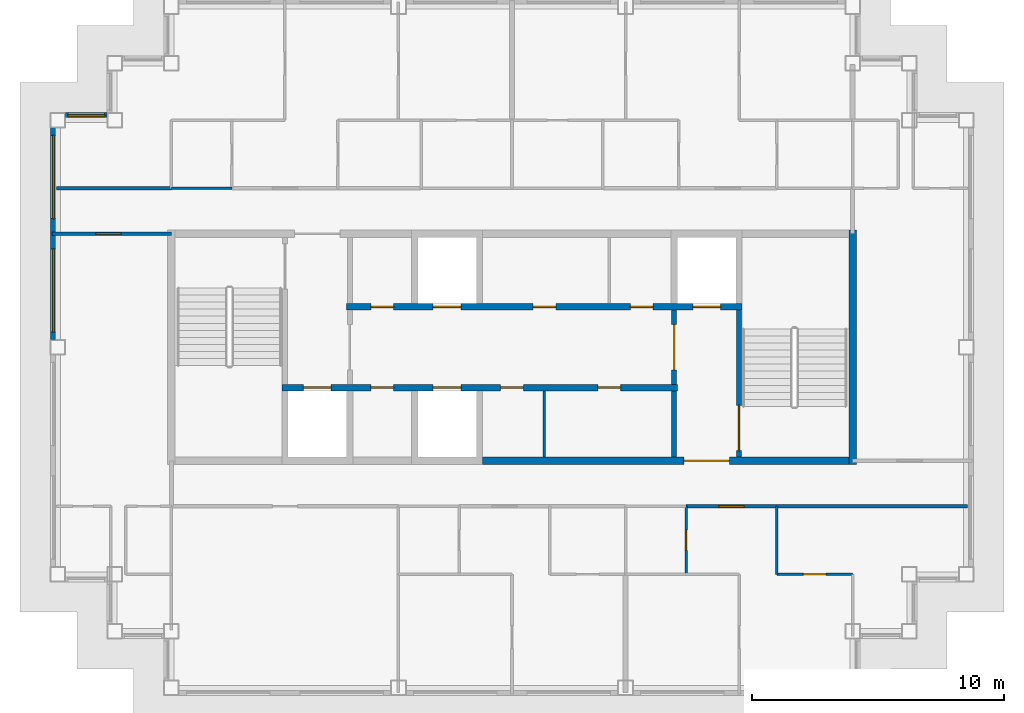
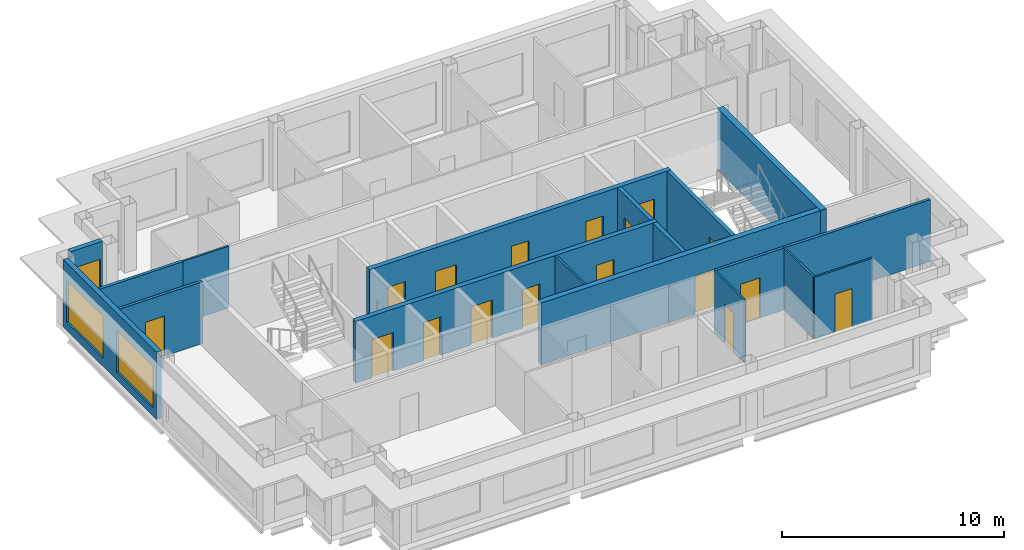
# One storey, part 3 of 11: 17 doors, 17 walls, 3 windows, 20 openings.
"""IFC4 building model written with IfcOpenShell, lengths in metres."""

from ifc_helpers import new_model, si_unit, direction, frame, frame_2d, origin, place, context, subcontext, project, spatial, rectangle, extrude, material, layer, layer_set, type_object, element, fill, save


model = new_model("IFC4")

# Units and contexts
model_context = context("Model", 3, precision=1e-05, world=origin(), true_north=direction((0.0, 1.0)))
body_context = subcontext(model_context, "Body", "Model", "MODEL_VIEW")
ifc_project = project(units=[si_unit("LENGTHUNIT", "METRE"), si_unit("AREAUNIT", "SQUARE_METRE"), si_unit("VOLUMEUNIT", "CUBIC_METRE"), si_unit("PLANEANGLEUNIT", "RADIAN"), si_unit("MASSUNIT", "GRAM", prefix="KILO")], contexts=[model_context])

# Site, building, storey
site_placement = place(None, origin())
site = spatial("IfcSite", under=ifc_project, at=site_placement, CompositionType="ELEMENT")
building_placement = place(site_placement, origin())
building = spatial("IfcBuilding", under=site, at=building_placement, Name="Caravel Reach Hotel and Residences", CompositionType="ELEMENT")
storey_placement = place(building_placement, frame((0.0, 0.0, 287.10009765625)))
storey = spatial("IfcBuildingStorey", under=building, at=storey_placement, Name="L73", CompositionType="ELEMENT", Elevation=287.10009765625)

# Wall
ifc_material_1 = material(Name="Gypsum board on steel stud", Category="steel")
ifc_layer_1 = layer(ifc_material_1, 0.10009765625)
ifc_layer_set_1 = layer_set([ifc_layer_1], Name="Bathroom pod wall 100 mm")
wall_type_1 = type_object("IfcWallType", Name="Bathroom pod wall 100 mm", PredefinedType="PARTITIONING", material=ifc_layer_set_1)
wall_1_placement = place(storey_placement, frame((18.0, 33.300048828125, 0.0), z_axis=(0.0, 0.0, 1.0), x_axis=(1.0, 0.0, 0.0)))
element("IfcWall", 1, at=wall_1_placement, inside=storey, type_object=wall_type_1, Name="L73 wall w053", PredefinedType="PARTITIONING", context=body_context, shape_type="SweptSolid", body=[
    extrude(rectangle(XDim=2.39990234375, YDim=0.10009765625, at=frame_2d((1.199951171875, 0.0))), origin(), (0.0, 0.0, 1.0), 3.39990234375),
])

# Wall, opening, door
wall_2_placement = place(storey_placement, frame((38.39990234375, 18.0, 0.0), z_axis=(0.0, 0.0, 1.0), x_axis=(0.0, 1.0, 0.0)))
wall_2 = element("IfcWall", 2, at=wall_2_placement, inside=storey, type_object=wall_type_1, Name="L73 wall w071", PredefinedType="PARTITIONING", context=body_context, shape_type="SweptSolid", body=[
    extrude(rectangle(XDim=2.699951171875, YDim=0.10009765625, at=frame_2d((1.35009765625, 0.0))), origin(), (0.0, 0.0, 1.0), 3.39990234375),
])
opening_1_placement = place(wall_2_placement, frame((0.949951171875, 0.0, 0.0)))
opening_1 = element("IfcOpeningElement", 3, at=opening_1_placement, cuts=wall_2, Name="Opening D73-035", PredefinedType="OPENING", context=body_context, shape_type="SweptSolid", body=[
    extrude(rectangle(XDim=0.800048828125, YDim=2.10009765625, at=frame_2d((0.39990234375, 1.050048828125))), frame((0.0, 0.06005859375, 0.0), z_axis=(0.0, -1.0, 0.0), x_axis=(1.0, 0.0, 0.0)), (0.0, 0.0, 1.0), 0.1201171875),
])
ifc_material_2 = material(Name="Timber and steel door leaf", Category="steel")
door_type_1 = type_object("IfcDoorType", Name="Bathroom door 800 x 2100", OperationType="SINGLE_SWING_LEFT", PredefinedType="DOOR", material=ifc_material_2)
door_1_placement = place(opening_1_placement, origin())
door_1 = element("IfcDoor", 4, at=door_1_placement, inside=storey, type_object=door_type_1, Name="door D73-035", OperationType="SINGLE_SWING_RIGHT", OverallHeight=2.10009765625, OverallWidth=0.800048828125, PredefinedType="DOOR", context=body_context, shape_type="SweptSolid", body=[
    extrude(rectangle(XDim=0.800048828125, YDim=2.10009765625, at=frame_2d((0.39990234375, 1.050048828125))), frame((0.0, 0.02490234375, 0.0), z_axis=(0.0, -1.0, 0.0), x_axis=(1.0, 0.0, 0.0)), (0.0, 0.0, 1.0), 0.050048828125),
])
fill(opening_1, door_1)

# Wall
ifc_material_3 = material(Name="Autoclaved aerated block wall")
ifc_layer_2 = layer(ifc_material_3, 0.199951171875)
ifc_layer_set_2 = layer_set([ifc_layer_2], Name="Compartment wall 200 mm EI 120")
wall_type_2 = type_object("IfcWallType", Name="Compartment wall 200 mm EI 120", PredefinedType="PARTITIONING", material=ifc_layer_set_2)
wall_3_placement = place(storey_placement, frame((37.928466796875, 22.64990234375, 0.0), z_axis=(0.0, 0.0, 1.0), x_axis=(0.0, 1.0, 0.0)))
element("IfcWall", 5, at=wall_3_placement, inside=storey, type_object=wall_type_2, Name="L73 store partition", PredefinedType="PARTITIONING", context=body_context, shape_type="SweptSolid", body=[
    extrude(rectangle(XDim=2.625, YDim=0.199951171875, at=frame_2d((1.3125, 0.0))), origin(), (0.0, 0.0, 1.0), 3.39990234375),
])

# Wall, opening, door
ifc_material_4 = material(Name="Concrete C60", Category="concrete")
ifc_layer_3 = layer(ifc_material_4, 0.300048828125)
ifc_layer_set_3 = layer_set([ifc_layer_3], Name="Core wall 300 mm EI 120")
wall_type_3 = type_object("IfcWallType", Name="Core wall 300 mm EI 120", PredefinedType="SHEAR", material=ifc_layer_set_3)
wall_4_placement = place(storey_placement, frame((30.33935546875, 22.5, 0.0), z_axis=(0.0, 0.0, 1.0), x_axis=(1.0, 0.0, 0.0)))
wall_4 = element("IfcWall", 6, at=wall_4_placement, inside=storey, type_object=wall_type_3, Name="L73 core wall S3", PredefinedType="SHEAR", context=body_context, shape_type="SweptSolid", body=[
    extrude(rectangle(XDim=14.5107421875, YDim=0.300048828125, at=frame_2d((7.25537109375, 0.0))), origin(), (0.0, 0.0, 1.0), 3.39990234375),
])
opening_2_placement = place(wall_4_placement, frame((7.97509765625, 0.0, 0.0)))
opening_2 = element("IfcOpeningElement", 7, at=opening_2_placement, cuts=wall_4, Name="Opening D73-016", PredefinedType="OPENING", context=body_context, shape_type="SweptSolid", body=[
    extrude(rectangle(XDim=1.800048828125, YDim=2.10009765625, at=frame_2d((0.89990234375, 1.050048828125))), frame((0.0, 0.159912109375, 0.0), z_axis=(0.0, -1.0, 0.0), x_axis=(1.0, 0.0, 0.0)), (0.0, 0.0, 1.0), 0.320068359375),
])
ifc_material_5 = material(Name="Steel fire door leaf", Category="steel")
door_type_2 = type_object("IfcDoorType", Name="Fire lobby door pair 1800 x 2100 EI 90", OperationType="DOUBLE_DOOR_SINGLE_SWING", PredefinedType="DOOR", material=ifc_material_5)
door_2_placement = place(opening_2_placement, origin())
door_2 = element("IfcDoor", 8, at=door_2_placement, inside=storey, type_object=door_type_2, Name="lobby S door pair to corridor", OperationType="DOUBLE_DOOR_SINGLE_SWING", OverallHeight=2.10009765625, OverallWidth=1.800048828125, PredefinedType="DOOR", context=body_context, shape_type="SweptSolid", body=[
    extrude(rectangle(XDim=1.800048828125, YDim=2.10009765625, at=frame_2d((0.89990234375, 1.050048828125))), frame((0.0, 0.02490234375, 0.0), z_axis=(0.0, -1.0, 0.0), x_axis=(1.0, 0.0, 0.0)), (0.0, 0.0, 1.0), 0.050048828125),
])
fill(opening_2, door_2)

# Wall
wall_5_placement = place(storey_placement, frame((45.0, 22.35009765625, 0.0), z_axis=(0.0, 0.0, 1.0), x_axis=(0.0, 1.0, 0.0)))
element("IfcWall", 9, at=wall_5_placement, inside=storey, type_object=wall_type_3, Name="L73 core wall E", PredefinedType="SHEAR", context=body_context, shape_type="SweptSolid", body=[
    extrude(rectangle(XDim=9.2998046875, YDim=0.300048828125, at=frame_2d((4.64990234375, 0.0))), origin(), (0.0, 0.0, 1.0), 3.39990234375),
])

# Wall, opening, door
ifc_material_6 = material(Name="Gypsum board on steel stud, fire-rated", Category="steel")
ifc_layer_4 = layer(ifc_material_6, 0.14990234375)
ifc_layer_set_4 = layer_set([ifc_layer_4], Name="Corridor wall 150 mm EI 60")
wall_type_4 = type_object("IfcWallType", Name="Corridor wall 150 mm EI 60", PredefinedType="PARTITIONING", material=ifc_layer_set_4)
wall_6_placement = place(storey_placement, frame((38.39990234375, 20.699951171875, 0.0), z_axis=(0.0, 0.0, 1.0), x_axis=(1.0, 0.0, 0.0)))
wall_6 = element("IfcWall", 10, at=wall_6_placement, inside=storey, type_object=wall_type_4, Name="L73 wall w004", PredefinedType="PARTITIONING", context=body_context, shape_type="SweptSolid", body=[
    extrude(rectangle(XDim=11.150146484375, YDim=0.14990234375, at=frame_2d((5.5751953125, 0.0))), origin(), (0.0, 0.0, 1.0), 3.39990234375),
])
opening_3_placement = place(wall_6_placement, frame((1.300048828125, 0.0, 0.0)))
opening_3 = element("IfcOpeningElement", 11, at=opening_3_placement, cuts=wall_6, Name="Opening D73-034", PredefinedType="OPENING", context=body_context, shape_type="SweptSolid", body=[
    extrude(rectangle(XDim=1.0, YDim=2.199951171875, at=frame_2d((0.5, 1.10009765625))), frame((0.0, 0.0849609375, 0.0), z_axis=(0.0, -1.0, 0.0), x_axis=(1.0, 0.0, 0.0)), (0.0, 0.0, 1.0), 0.169921875),
])
ifc_material_7 = material(Name="Steel fire door leaf", Category="steel")
door_type_3 = type_object("IfcDoorType", Name="Flat entrance door 1000 x 2200 EI 60", OperationType="SINGLE_SWING_LEFT", PredefinedType="DOOR", material=ifc_material_7)
door_3_placement = place(opening_3_placement, origin())
door_3 = element("IfcDoor", 12, at=door_3_placement, inside=storey, type_object=door_type_3, Name="door D73-034", OperationType="SINGLE_SWING_LEFT", OverallHeight=2.199951171875, OverallWidth=1.0, PredefinedType="DOOR", context=body_context, shape_type="SweptSolid", body=[
    extrude(rectangle(XDim=1.0, YDim=2.199951171875, at=frame_2d((0.5, 1.10009765625))), frame((0.0, 0.02490234375, 0.0), z_axis=(0.0, -1.0, 0.0), x_axis=(1.0, 0.0, 0.0)), (0.0, 0.0, 1.0), 0.050048828125),
])
fill(opening_3, door_3)

wall_7_placement = place(storey_placement, frame((13.260009765625, 31.5, 0.0), z_axis=(0.0, 0.0, 1.0), x_axis=(1.0, 0.0, 0.0)))
wall_7 = element("IfcWall", 13, at=wall_7_placement, inside=storey, type_object=wall_type_4, Name="L73 wall w008", PredefinedType="PARTITIONING", context=body_context, shape_type="SweptSolid", body=[
    extrude(rectangle(XDim=4.739990234375, YDim=0.14990234375, at=frame_2d((2.3701171875, 0.0))), origin(), (0.0, 0.0, 1.0), 3.39990234375),
])
opening_4_placement = place(wall_7_placement, frame((1.75, 0.0, 0.0)))
opening_4 = element("IfcOpeningElement", 14, at=opening_4_placement, cuts=wall_7, Name="Opening D73-038", PredefinedType="OPENING", context=body_context, shape_type="SweptSolid", body=[
    extrude(rectangle(XDim=1.0, YDim=2.199951171875, at=frame_2d((0.5, 1.10009765625))), frame((0.0, 0.0849609375, 0.0), z_axis=(0.0, -1.0, 0.0), x_axis=(1.0, 0.0, 0.0)), (0.0, 0.0, 1.0), 0.169921875),
])
door_4_placement = place(opening_4_placement, origin())
door_4 = element("IfcDoor", 15, at=door_4_placement, inside=storey, type_object=door_type_3, Name="door D73-038", OperationType="SINGLE_SWING_RIGHT", OverallHeight=2.199951171875, OverallWidth=1.0, PredefinedType="DOOR", context=body_context, shape_type="SweptSolid", body=[
    extrude(rectangle(XDim=1.0, YDim=2.199951171875, at=frame_2d((0.5, 1.10009765625))), frame((0.0, 0.02490234375, 0.0), z_axis=(0.0, -1.0, 0.0), x_axis=(1.0, 0.0, 0.0)), (0.0, 0.0, 1.0), 0.050048828125),
])
fill(opening_4, door_4)

# Wall
wall_8_placement = place(storey_placement, frame((13.449951171875, 33.300048828125, 0.0), z_axis=(0.0, 0.0, 1.0), x_axis=(1.0, 0.0, 0.0)))
element("IfcWall", 16, at=wall_8_placement, inside=storey, type_object=wall_type_4, Name="L73 wall w009", PredefinedType="PARTITIONING", context=body_context, shape_type="SweptSolid", body=[
    extrude(rectangle(XDim=4.549072265625, YDim=0.14990234375, at=frame_2d((2.2744140625, 0.0))), origin(), (0.0, 0.0, 1.0), 3.39990234375),
])

# Wall, opening, window
ifc_material_8 = material(Name="Insulated rainscreen wall, aluminium cladding", Category="aluminium")
ifc_layer_5 = layer(ifc_material_8, 0.25)
ifc_layer_set_5 = layer_set([ifc_layer_5], Name="EW1 Tower rainscreen wall")
wall_type_5 = type_object("IfcWallType", Name="EW1 Tower rainscreen wall", PredefinedType="SOLIDWALL", material=ifc_layer_set_5)
wall_9_placement = place(storey_placement, frame((15.449951171875, 36.175048828125, 0.0), z_axis=(0.0, 0.0, 1.0), x_axis=(-1.0, 0.0, 0.0)))
wall_9 = element("IfcWall", 17, at=wall_9_placement, inside=storey, type_object=wall_type_5, Name="External wall L73 N14.1", PredefinedType="SOLIDWALL", context=body_context, shape_type="SweptSolid", body=[
    extrude(rectangle(XDim=1.64990234375, YDim=0.25, at=frame_2d((0.824951171875, 0.0))), origin(), (0.0, 0.0, 1.0), 3.699951171875),
])
opening_5_placement = place(wall_9_placement, frame((0.10009765625, 0.0, 0.89990234375)))
opening_5 = element("IfcOpeningElement", 18, at=opening_5_placement, cuts=wall_9, Name="Opening WN25", PredefinedType="OPENING", context=body_context, shape_type="SweptSolid", body=[
    extrude(rectangle(XDim=1.449951171875, YDim=1.85009765625, at=frame_2d((0.72509765625, 0.925048828125))), frame((0.0, 0.135009765625, 0.0), z_axis=(0.0, -1.0, 0.0), x_axis=(1.0, 0.0, 0.0)), (0.0, 0.0, 1.0), 0.27001953125),
])
ifc_material_9 = material(Name="Dark low-e glazing in black aluminium frame", Category="aluminium")
window_type_1 = type_object("IfcWindowType", Name="Residence bedroom window 1450 x 1850", PartitioningType="SINGLE_PANEL", PredefinedType="WINDOW", material=ifc_material_9)
window_1_placement = place(opening_5_placement, origin())
window_1 = element("IfcWindow", 19, at=window_1_placement, inside=storey, type_object=window_type_1, Name="Window L73 N14.1.1", OverallHeight=1.85009765625, OverallWidth=1.449951171875, PartitioningType="SINGLE_PANEL", PredefinedType="WINDOW", context=body_context, shape_type="SweptSolid", body=[
    extrude(rectangle(XDim=1.449951171875, YDim=1.85009765625, at=frame_2d((0.72509765625, 0.925048828125))), frame((0.0, 0.030029296875, 0.0), z_axis=(0.0, -1.0, 0.0), x_axis=(1.0, 0.0, 0.0)), (0.0, 0.0, 1.0), 0.06005859375),
])
fill(opening_5, window_1)

# Wall, openings, windows
wall_10_placement = place(storey_placement, frame((13.324951171875, 35.699951171875, 0.0), z_axis=(0.0, 0.0, 1.0), x_axis=(0.0, -1.0, 0.0)))
wall_10 = element("IfcWall", 20, at=wall_10_placement, inside=storey, type_object=wall_type_5, Name="External wall L73 W15.1", PredefinedType="SOLIDWALL", context=body_context, shape_type="SweptSolid", body=[
    extrude(rectangle(XDim=8.39990234375, YDim=0.25, at=frame_2d((4.199951171875, 0.0))), origin(), (0.0, 0.0, 1.0), 3.699951171875),
])
opening_6_placement = place(wall_10_placement, frame((0.300048828125, 0.0, 0.449951171875)))
opening_6 = element("IfcOpeningElement", 21, at=opening_6_placement, cuts=wall_10, Name="Opening WN15", PredefinedType="OPENING", context=body_context, shape_type="SweptSolid", body=[
    extrude(rectangle(XDim=3.300048828125, YDim=2.300048828125, at=frame_2d((1.64990234375, 1.14990234375))), frame((0.0, 0.135009765625, 0.0), z_axis=(0.0, -1.0, 0.0), x_axis=(1.0, 0.0, 0.0)), (0.0, 0.0, 1.0), 0.27001953125),
])
opening_7_placement = place(wall_10_placement, frame((4.800048828125, 0.0, 0.449951171875)))
opening_7 = element("IfcOpeningElement", 22, at=opening_7_placement, cuts=wall_10, Name="Opening WN15", PredefinedType="OPENING", context=body_context, shape_type="SweptSolid", body=[
    extrude(rectangle(XDim=3.300048828125, YDim=2.300048828125, at=frame_2d((1.64990234375, 1.14990234375))), frame((0.0, 0.135009765625, 0.0), z_axis=(0.0, -1.0, 0.0), x_axis=(1.0, 0.0, 0.0)), (0.0, 0.0, 1.0), 0.27001953125),
])
ifc_material_10 = material(Name="Dark low-e glazing in black aluminium frame", Category="aluminium")
window_type_2 = type_object("IfcWindowType", Name="Residence living window 3300 x 2300", PartitioningType="SINGLE_PANEL", PredefinedType="WINDOW", material=ifc_material_10)
window_2_placement = place(opening_6_placement, origin())
window_2 = element("IfcWindow", 23, at=window_2_placement, inside=storey, type_object=window_type_2, Name="Window L73 W15.1.1", OverallHeight=2.300048828125, OverallWidth=3.300048828125, PartitioningType="SINGLE_PANEL", PredefinedType="WINDOW", context=body_context, shape_type="SweptSolid", body=[
    extrude(rectangle(XDim=3.300048828125, YDim=2.300048828125, at=frame_2d((1.64990234375, 1.14990234375))), frame((0.0, 0.030029296875, 0.0), z_axis=(0.0, -1.0, 0.0), x_axis=(1.0, 0.0, 0.0)), (0.0, 0.0, 1.0), 0.06005859375),
])
fill(opening_6, window_2)
window_3_placement = place(opening_7_placement, origin())
window_3 = element("IfcWindow", 24, at=window_3_placement, inside=storey, type_object=window_type_2, Name="Window L73 W15.1.2", OverallHeight=2.300048828125, OverallWidth=3.300048828125, PartitioningType="SINGLE_PANEL", PredefinedType="WINDOW", context=body_context, shape_type="SweptSolid", body=[
    extrude(rectangle(XDim=3.300048828125, YDim=2.300048828125, at=frame_2d((1.64990234375, 1.14990234375))), frame((0.0, 0.030029296875, 0.0), z_axis=(0.0, -1.0, 0.0), x_axis=(1.0, 0.0, 0.0)), (0.0, 0.0, 1.0), 0.06005859375),
])
fill(opening_7, window_3)

# Wall, opening, door
ifc_material_11 = material(Name="Autoclaved aerated block wall")
ifc_layer_6 = layer(ifc_material_11, 0.199951171875)
ifc_layer_set_6 = layer_set([ifc_layer_6], Name="Fire lobby wall 200 mm EI 120")
wall_type_6 = type_object("IfcWallType", Name="Fire lobby wall 200 mm EI 120", PredefinedType="PARTITIONING", material=ifc_layer_set_6)
wall_11_placement = place(storey_placement, frame((37.928466796875, 25.52490234375, 0.0), z_axis=(0.0, 0.0, 1.0), x_axis=(0.0, 1.0, 0.0)))
wall_11 = element("IfcWall", 25, at=wall_11_placement, inside=storey, type_object=wall_type_6, Name="L73 lobby E wall", PredefinedType="PARTITIONING", context=body_context, shape_type="SweptSolid", body=[
    extrude(rectangle(XDim=2.9501953125, YDim=0.199951171875, at=frame_2d((1.47509765625, 0.0))), origin(), (0.0, 0.0, 1.0), 3.39990234375),
])
opening_8_placement = place(wall_11_placement, frame((0.574951171875, 0.0, 0.0)))
opening_8 = element("IfcOpeningElement", 26, at=opening_8_placement, cuts=wall_11, Name="Opening D73-014", PredefinedType="OPENING", context=body_context, shape_type="SweptSolid", body=[
    extrude(rectangle(XDim=1.800048828125, YDim=2.10009765625, at=frame_2d((0.89990234375, 1.050048828125))), frame((0.0, 0.10986328125, 0.0), z_axis=(0.0, -1.0, 0.0), x_axis=(1.0, 0.0, 0.0)), (0.0, 0.0, 1.0), 0.219970703125),
])
door_5_placement = place(opening_8_placement, origin())
door_5 = element("IfcDoor", 27, at=door_5_placement, inside=storey, type_object=door_type_2, Name="lobby E door pair", OperationType="DOUBLE_DOOR_SINGLE_SWING", OverallHeight=2.10009765625, OverallWidth=1.800048828125, PredefinedType="DOOR", context=body_context, shape_type="SweptSolid", body=[
    extrude(rectangle(XDim=1.800048828125, YDim=2.10009765625, at=frame_2d((0.89990234375, 1.050048828125))), frame((0.0, 0.02490234375, 0.0), z_axis=(0.0, -1.0, 0.0), x_axis=(1.0, 0.0, 0.0)), (0.0, 0.0, 1.0), 0.050048828125),
])
fill(opening_8, door_5)

# Wall
ifc_material_12 = material(Name="Gypsum board on steel stud", Category="steel")
ifc_layer_7 = layer(ifc_material_12, 0.10009765625)
ifc_layer_set_7 = layer_set([ifc_layer_7], Name="Partition 100 mm")
wall_type_7 = type_object("IfcWallType", Name="Partition 100 mm", PredefinedType="PARTITIONING", material=ifc_layer_set_7)
wall_12_placement = place(storey_placement, frame((32.78564453125, 22.64990234375, 0.0), z_axis=(0.0, 0.0, 1.0), x_axis=(0.0, 1.0, 0.0)))
element("IfcWall", 28, at=wall_12_placement, inside=storey, type_object=wall_type_7, Name="L73 store partition", PredefinedType="PARTITIONING", context=body_context, shape_type="SweptSolid", body=[
    extrude(rectangle(XDim=2.625, YDim=0.10009765625, at=frame_2d((1.3125, 0.0))), origin(), (0.0, 0.0, 1.0), 3.39990234375),
])

# Wall, opening, door
wall_13_placement = place(storey_placement, frame((42.0, 18.0, 0.0), z_axis=(0.0, 0.0, 1.0), x_axis=(1.0, 0.0, 0.0)))
wall_13 = element("IfcWall", 29, at=wall_13_placement, inside=storey, type_object=wall_type_7, Name="L73 wall w019", PredefinedType="PARTITIONING", context=body_context, shape_type="SweptSolid", body=[
    extrude(rectangle(XDim=3.0, YDim=0.10009765625, at=frame_2d((1.5, 0.0))), origin(), (0.0, 0.0, 1.0), 3.39990234375),
])
opening_9_placement = place(wall_13_placement, frame((1.050048828125, 0.0, 0.0)))
opening_9 = element("IfcOpeningElement", 30, at=opening_9_placement, cuts=wall_13, Name="Opening D73-036", PredefinedType="OPENING", context=body_context, shape_type="SweptSolid", body=[
    extrude(rectangle(XDim=0.89990234375, YDim=2.10009765625, at=frame_2d((0.449951171875, 1.050048828125))), frame((0.0, 0.06005859375, 0.0), z_axis=(0.0, -1.0, 0.0), x_axis=(1.0, 0.0, 0.0)), (0.0, 0.0, 1.0), 0.1201171875),
])
ifc_material_13 = material(Name="Timber and steel door leaf", Category="steel")
door_type_4 = type_object("IfcDoorType", Name="Door 900 x 2100 timber", OperationType="SINGLE_SWING_LEFT", PredefinedType="DOOR", material=ifc_material_13)
door_6_placement = place(opening_9_placement, origin())
door_6 = element("IfcDoor", 31, at=door_6_placement, inside=storey, type_object=door_type_4, Name="door D73-036", OperationType="SINGLE_SWING_LEFT", OverallHeight=2.10009765625, OverallWidth=0.89990234375, PredefinedType="DOOR", context=body_context, shape_type="SweptSolid", body=[
    extrude(rectangle(XDim=0.89990234375, YDim=2.10009765625, at=frame_2d((0.449951171875, 1.050048828125))), frame((0.0, 0.02490234375, 0.0), z_axis=(0.0, -1.0, 0.0), x_axis=(1.0, 0.0, 0.0)), (0.0, 0.0, 1.0), 0.050048828125),
])
fill(opening_9, door_6)

# Wall
wall_14_placement = place(storey_placement, frame((42.0, 18.0, 0.0), z_axis=(0.0, 0.0, 1.0), x_axis=(0.0, 1.0, 0.0)))
element("IfcWall", 32, at=wall_14_placement, inside=storey, type_object=wall_type_7, Name="L73 wall w042", PredefinedType="PARTITIONING", context=body_context, shape_type="SweptSolid", body=[
    extrude(rectangle(XDim=2.699951171875, YDim=0.10009765625, at=frame_2d((1.35009765625, 0.0))), origin(), (0.0, 0.0, 1.0), 3.39990234375),
])

# Wall, openings, doors
ifc_material_14 = material(Name="Concrete C60", Category="concrete")
ifc_layer_8 = layer(ifc_material_14, 0.25)
ifc_layer_set_8 = layer_set([ifc_layer_8], Name="Shaft wall 250 mm EI 120")
wall_type_8 = type_object("IfcWallType", Name="Shaft wall 250 mm EI 120", PredefinedType="SHEAR", material=ifc_layer_set_8)
wall_15_placement = place(storey_placement, frame((22.375, 25.39990234375, 0.0), z_axis=(0.0, 0.0, 1.0), x_axis=(1.0, 0.0, 0.0)))
wall_15 = element("IfcWall", 33, at=wall_15_placement, inside=storey, type_object=wall_type_8, Name="L73 lobby wall S1", PredefinedType="SHEAR", context=body_context, shape_type="SweptSolid", body=[
    extrude(rectangle(XDim=15.678466796875, YDim=0.25, at=frame_2d((7.83935546875, 0.0))), origin(), (0.0, 0.0, 1.0), 3.39990234375),
])
opening_10_placement = place(wall_15_placement, frame((6.003662109375, 0.0, 0.0)))
opening_10 = element("IfcOpeningElement", 34, at=opening_10_placement, cuts=wall_15, Name="Opening D73-001", PredefinedType="OPENING", context=body_context, shape_type="SweptSolid", body=[
    extrude(rectangle(XDim=1.10009765625, YDim=2.10009765625, at=frame_2d((0.550048828125, 1.050048828125))), frame((0.0, 0.135009765625, 0.0), z_axis=(0.0, -1.0, 0.0), x_axis=(1.0, 0.0, 0.0)), (0.0, 0.0, 1.0), 0.27001953125),
])
opening_11_placement = place(wall_15_placement, frame((0.860595703125, 0.0, 0.0)))
opening_11 = element("IfcOpeningElement", 35, at=opening_11_placement, cuts=wall_15, Name="Opening D73-003", PredefinedType="OPENING", context=body_context, shape_type="SweptSolid", body=[
    extrude(rectangle(XDim=1.10009765625, YDim=2.10009765625, at=frame_2d((0.550048828125, 1.050048828125))), frame((0.0, 0.135009765625, 0.0), z_axis=(0.0, -1.0, 0.0), x_axis=(1.0, 0.0, 0.0)), (0.0, 0.0, 1.0), 0.27001953125),
])
opening_12_placement = place(wall_15_placement, frame((3.531982421875, 0.0, 0.0)))
opening_12 = element("IfcOpeningElement", 36, at=opening_12_placement, cuts=wall_15, Name="Opening D73-005", PredefinedType="OPENING", context=body_context, shape_type="SweptSolid", body=[
    extrude(rectangle(XDim=0.89990234375, YDim=2.10009765625, at=frame_2d((0.449951171875, 1.050048828125))), frame((0.0, 0.135009765625, 0.0), z_axis=(0.0, -1.0, 0.0), x_axis=(1.0, 0.0, 0.0)), (0.0, 0.0, 1.0), 0.27001953125),
])
opening_13_placement = place(wall_15_placement, frame((8.675048828125, 0.0, 0.0)))
opening_13 = element("IfcOpeningElement", 37, at=opening_13_placement, cuts=wall_15, Name="Opening D73-006", PredefinedType="OPENING", context=body_context, shape_type="SweptSolid", body=[
    extrude(rectangle(XDim=0.89990234375, YDim=2.10009765625, at=frame_2d((0.449951171875, 1.050048828125))), frame((0.0, 0.135009765625, 0.0), z_axis=(0.0, -1.0, 0.0), x_axis=(1.0, 0.0, 0.0)), (0.0, 0.0, 1.0), 0.27001953125),
])
opening_14_placement = place(wall_15_placement, frame((12.531982421875, 0.0, 0.0)))
opening_14 = element("IfcOpeningElement", 38, at=opening_14_placement, cuts=wall_15, Name="Opening D73-007", PredefinedType="OPENING", context=body_context, shape_type="SweptSolid", body=[
    extrude(rectangle(XDim=0.89990234375, YDim=2.10009765625, at=frame_2d((0.449951171875, 1.050048828125))), frame((0.0, 0.135009765625, 0.0), z_axis=(0.0, -1.0, 0.0), x_axis=(1.0, 0.0, 0.0)), (0.0, 0.0, 1.0), 0.27001953125),
])
ifc_material_15 = material(Name="Stainless steel landing door", Category="steel")
door_type_5 = type_object("IfcDoorType", Name="Landing door LD 1100 x 2100 sliding", OperationType="DOUBLE_DOOR_SLIDING", PredefinedType="DOOR", material=ifc_material_15)
door_7_placement = place(opening_10_placement, origin())
door_7 = element("IfcDoor", 39, at=door_7_placement, inside=storey, type_object=door_type_5, Name="HP1 landing door", OperationType="DOUBLE_DOOR_SLIDING", OverallHeight=2.10009765625, OverallWidth=1.10009765625, PredefinedType="DOOR", context=body_context, shape_type="SweptSolid", body=[
    extrude(rectangle(XDim=1.10009765625, YDim=2.10009765625, at=frame_2d((0.550048828125, 1.050048828125))), frame((0.0, 0.02490234375, 0.0), z_axis=(0.0, -1.0, 0.0), x_axis=(1.0, 0.0, 0.0)), (0.0, 0.0, 1.0), 0.050048828125),
])
fill(opening_10, door_7)
door_8_placement = place(opening_11_placement, origin())
door_8 = element("IfcDoor", 40, at=door_8_placement, inside=storey, type_object=door_type_5, Name="FL1 landing door", OperationType="DOUBLE_DOOR_SLIDING", OverallHeight=2.10009765625, OverallWidth=1.10009765625, PredefinedType="DOOR", context=body_context, shape_type="SweptSolid", body=[
    extrude(rectangle(XDim=1.10009765625, YDim=2.10009765625, at=frame_2d((0.550048828125, 1.050048828125))), frame((0.0, 0.02490234375, 0.0), z_axis=(0.0, -1.0, 0.0), x_axis=(1.0, 0.0, 0.0)), (0.0, 0.0, 1.0), 0.050048828125),
])
fill(opening_11, door_8)
ifc_material_16 = material(Name="Steel fire door leaf", Category="steel")
door_type_6 = type_object("IfcDoorType", Name="Riser door 900 x 2100 EI 60", OperationType="SINGLE_SWING_LEFT", PredefinedType="DOOR", material=ifc_material_16)
door_9_placement = place(opening_12_placement, origin())
door_9 = element("IfcDoor", 41, at=door_9_placement, inside=storey, type_object=door_type_6, Name="Linen store door", OperationType="SINGLE_SWING_LEFT", OverallHeight=2.10009765625, OverallWidth=0.89990234375, PredefinedType="DOOR", context=body_context, shape_type="SweptSolid", body=[
    extrude(rectangle(XDim=0.89990234375, YDim=2.10009765625, at=frame_2d((0.449951171875, 1.050048828125))), frame((0.0, 0.02490234375, 0.0), z_axis=(0.0, -1.0, 0.0), x_axis=(1.0, 0.0, 0.0)), (0.0, 0.0, 1.0), 0.050048828125),
])
fill(opening_12, door_9)
door_10_placement = place(opening_13_placement, origin())
door_10 = element("IfcDoor", 42, at=door_10_placement, inside=storey, type_object=door_type_6, Name="Cleaners' room door", OperationType="SINGLE_SWING_LEFT", OverallHeight=2.10009765625, OverallWidth=0.89990234375, PredefinedType="DOOR", context=body_context, shape_type="SweptSolid", body=[
    extrude(rectangle(XDim=0.89990234375, YDim=2.10009765625, at=frame_2d((0.449951171875, 1.050048828125))), frame((0.0, 0.02490234375, 0.0), z_axis=(0.0, -1.0, 0.0), x_axis=(1.0, 0.0, 0.0)), (0.0, 0.0, 1.0), 0.050048828125),
])
fill(opening_13, door_10)
door_11_placement = place(opening_14_placement, origin())
door_11 = element("IfcDoor", 43, at=door_11_placement, inside=storey, type_object=door_type_6, Name="Electrical riser room door", OperationType="SINGLE_SWING_LEFT", OverallHeight=2.10009765625, OverallWidth=0.89990234375, PredefinedType="DOOR", context=body_context, shape_type="SweptSolid", body=[
    extrude(rectangle(XDim=0.89990234375, YDim=2.10009765625, at=frame_2d((0.449951171875, 1.050048828125))), frame((0.0, 0.02490234375, 0.0), z_axis=(0.0, -1.0, 0.0), x_axis=(1.0, 0.0, 0.0)), (0.0, 0.0, 1.0), 0.050048828125),
])
fill(opening_14, door_11)

wall_16_placement = place(storey_placement, frame((24.946533203125, 28.60009765625, 0.0), z_axis=(0.0, 0.0, 1.0), x_axis=(1.0, 0.0, 0.0)))
wall_16 = element("IfcWall", 44, at=wall_16_placement, inside=storey, type_object=wall_type_8, Name="L73 lobby wall N1", PredefinedType="SHEAR", context=body_context, shape_type="SweptSolid", body=[
    extrude(rectangle(XDim=15.678466796875, YDim=0.25, at=frame_2d((7.83935546875, 0.0))), origin(), (0.0, 0.0, 1.0), 3.39990234375),
])
opening_15_placement = place(wall_16_placement, frame((3.43212890625, 0.0, 0.0)))
opening_15 = element("IfcOpeningElement", 45, at=opening_15_placement, cuts=wall_16, Name="Opening D73-002", PredefinedType="OPENING", context=body_context, shape_type="SweptSolid", body=[
    extrude(rectangle(XDim=1.10009765625, YDim=2.10009765625, at=frame_2d((0.550048828125, 1.050048828125))), frame((0.0, 0.135009765625, 0.0), z_axis=(0.0, -1.0, 0.0), x_axis=(1.0, 0.0, 0.0)), (0.0, 0.0, 1.0), 0.27001953125),
])
opening_16_placement = place(wall_16_placement, frame((13.718017578125, 0.0, 0.0)))
opening_16 = element("IfcOpeningElement", 46, at=opening_16_placement, cuts=wall_16, Name="Opening D73-004", PredefinedType="OPENING", context=body_context, shape_type="SweptSolid", body=[
    extrude(rectangle(XDim=1.10009765625, YDim=2.10009765625, at=frame_2d((0.550048828125, 1.050048828125))), frame((0.0, 0.135009765625, 0.0), z_axis=(0.0, -1.0, 0.0), x_axis=(1.0, 0.0, 0.0)), (0.0, 0.0, 1.0), 0.27001953125),
])
opening_17_placement = place(wall_16_placement, frame((0.960693359375, 0.0, 0.0)))
opening_17 = element("IfcOpeningElement", 47, at=opening_17_placement, cuts=wall_16, Name="Opening D73-008", PredefinedType="OPENING", context=body_context, shape_type="SweptSolid", body=[
    extrude(rectangle(XDim=0.89990234375, YDim=2.10009765625, at=frame_2d((0.449951171875, 1.050048828125))), frame((0.0, 0.135009765625, 0.0), z_axis=(0.0, -1.0, 0.0), x_axis=(1.0, 0.0, 0.0)), (0.0, 0.0, 1.0), 0.27001953125),
])
opening_18_placement = place(wall_16_placement, frame((7.389404296875, 0.0, 0.0)))
opening_18 = element("IfcOpeningElement", 48, at=opening_18_placement, cuts=wall_16, Name="Opening D73-009", PredefinedType="OPENING", context=body_context, shape_type="SweptSolid", body=[
    extrude(rectangle(XDim=0.89990234375, YDim=2.10009765625, at=frame_2d((0.449951171875, 1.050048828125))), frame((0.0, 0.135009765625, 0.0), z_axis=(0.0, -1.0, 0.0), x_axis=(1.0, 0.0, 0.0)), (0.0, 0.0, 1.0), 0.27001953125),
])
opening_19_placement = place(wall_16_placement, frame((11.246337890625, 0.0, 0.0)))
opening_19 = element("IfcOpeningElement", 49, at=opening_19_placement, cuts=wall_16, Name="Opening D73-010", PredefinedType="OPENING", context=body_context, shape_type="SweptSolid", body=[
    extrude(rectangle(XDim=0.89990234375, YDim=2.10009765625, at=frame_2d((0.449951171875, 1.050048828125))), frame((0.0, 0.135009765625, 0.0), z_axis=(0.0, -1.0, 0.0), x_axis=(1.0, 0.0, 0.0)), (0.0, 0.0, 1.0), 0.27001953125),
])
door_12_placement = place(opening_15_placement, origin())
door_12 = element("IfcDoor", 50, at=door_12_placement, inside=storey, type_object=door_type_5, Name="HP2 landing door", OperationType="DOUBLE_DOOR_SLIDING", OverallHeight=2.10009765625, OverallWidth=1.10009765625, PredefinedType="DOOR", context=body_context, shape_type="SweptSolid", body=[
    extrude(rectangle(XDim=1.10009765625, YDim=2.10009765625, at=frame_2d((0.550048828125, 1.050048828125))), frame((0.0, 0.02490234375, 0.0), z_axis=(0.0, -1.0, 0.0), x_axis=(1.0, 0.0, 0.0)), (0.0, 0.0, 1.0), 0.050048828125),
])
fill(opening_15, door_12)
door_13_placement = place(opening_16_placement, origin())
door_13 = element("IfcDoor", 51, at=door_13_placement, inside=storey, type_object=door_type_5, Name="FL2 landing door", OperationType="DOUBLE_DOOR_SLIDING", OverallHeight=2.10009765625, OverallWidth=1.10009765625, PredefinedType="DOOR", context=body_context, shape_type="SweptSolid", body=[
    extrude(rectangle(XDim=1.10009765625, YDim=2.10009765625, at=frame_2d((0.550048828125, 1.050048828125))), frame((0.0, 0.02490234375, 0.0), z_axis=(0.0, -1.0, 0.0), x_axis=(1.0, 0.0, 0.0)), (0.0, 0.0, 1.0), 0.050048828125),
])
fill(opening_16, door_13)
door_14_placement = place(opening_17_placement, origin())
door_14 = element("IfcDoor", 52, at=door_14_placement, inside=storey, type_object=door_type_6, Name="Housekeeping store door", OperationType="SINGLE_SWING_LEFT", OverallHeight=2.10009765625, OverallWidth=0.89990234375, PredefinedType="DOOR", context=body_context, shape_type="SweptSolid", body=[
    extrude(rectangle(XDim=0.89990234375, YDim=2.10009765625, at=frame_2d((0.449951171875, 1.050048828125))), frame((0.0, 0.02490234375, 0.0), z_axis=(0.0, -1.0, 0.0), x_axis=(1.0, 0.0, 0.0)), (0.0, 0.0, 1.0), 0.050048828125),
])
fill(opening_17, door_14)
door_15_placement = place(opening_18_placement, origin())
door_15 = element("IfcDoor", 53, at=door_15_placement, inside=storey, type_object=door_type_6, Name="Mail store door", OperationType="SINGLE_SWING_LEFT", OverallHeight=2.10009765625, OverallWidth=0.89990234375, PredefinedType="DOOR", context=body_context, shape_type="SweptSolid", body=[
    extrude(rectangle(XDim=0.89990234375, YDim=2.10009765625, at=frame_2d((0.449951171875, 1.050048828125))), frame((0.0, 0.02490234375, 0.0), z_axis=(0.0, -1.0, 0.0), x_axis=(1.0, 0.0, 0.0)), (0.0, 0.0, 1.0), 0.050048828125),
])
fill(opening_18, door_15)
door_16_placement = place(opening_19_placement, origin())
door_16 = element("IfcDoor", 54, at=door_16_placement, inside=storey, type_object=door_type_6, Name="Package store door", OperationType="SINGLE_SWING_LEFT", OverallHeight=2.10009765625, OverallWidth=0.89990234375, PredefinedType="DOOR", context=body_context, shape_type="SweptSolid", body=[
    extrude(rectangle(XDim=0.89990234375, YDim=2.10009765625, at=frame_2d((0.449951171875, 1.050048828125))), frame((0.0, 0.02490234375, 0.0), z_axis=(0.0, -1.0, 0.0), x_axis=(1.0, 0.0, 0.0)), (0.0, 0.0, 1.0), 0.050048828125),
])
fill(opening_19, door_16)

# Wall, opening, door
ifc_material_17 = material(Name="Concrete C60", Category="concrete")
ifc_layer_9 = layer(ifc_material_17, 0.199951171875)
ifc_layer_set_9 = layer_set([ifc_layer_9], Name="Stair enclosure wall 200 mm EI 120")
wall_type_9 = type_object("IfcWallType", Name="Stair enclosure wall 200 mm EI 120", PredefinedType="SHEAR", material=ifc_layer_set_9)
wall_17_placement = place(storey_placement, frame((40.5, 22.64990234375, 0.0), z_axis=(0.0, 0.0, 1.0), x_axis=(0.0, 1.0, 0.0)))
wall_17 = element("IfcWall", 55, at=wall_17_placement, inside=storey, type_object=wall_type_9, Name="L73 stair B wall", PredefinedType="SHEAR", context=body_context, shape_type="SweptSolid", body=[
    extrude(rectangle(XDim=5.8251953125, YDim=0.199951171875, at=frame_2d((2.91259765625, 0.0))), origin(), (0.0, 0.0, 1.0), 3.39990234375),
])
opening_20_placement = place(wall_17_placement, frame((0.25, 0.0, 0.0)))
opening_20 = element("IfcOpeningElement", 56, at=opening_20_placement, cuts=wall_17, Name="Opening D73-012", PredefinedType="OPENING", context=body_context, shape_type="SweptSolid", body=[
    extrude(rectangle(XDim=1.800048828125, YDim=2.10009765625, at=frame_2d((0.89990234375, 1.050048828125))), frame((0.0, 0.10986328125, 0.0), z_axis=(0.0, -1.0, 0.0), x_axis=(1.0, 0.0, 0.0)), (0.0, 0.0, 1.0), 0.219970703125),
])
ifc_material_18 = material(Name="Steel fire door leaf", Category="steel")
door_type_7 = type_object("IfcDoorType", Name="Stair door pair 1800 x 2100 EI 90", OperationType="DOUBLE_DOOR_SINGLE_SWING", PredefinedType="DOOR", material=ifc_material_18)
door_17_placement = place(opening_20_placement, origin())
door_17 = element("IfcDoor", 57, at=door_17_placement, inside=storey, type_object=door_type_7, Name="stair B door pair", OperationType="DOUBLE_DOOR_SINGLE_SWING", OverallHeight=2.10009765625, OverallWidth=1.800048828125, PredefinedType="DOOR", context=body_context, shape_type="SweptSolid", body=[
    extrude(rectangle(XDim=1.800048828125, YDim=2.10009765625, at=frame_2d((0.89990234375, 1.050048828125))), frame((0.0, 0.02490234375, 0.0), z_axis=(0.0, -1.0, 0.0), x_axis=(1.0, 0.0, 0.0)), (0.0, 0.0, 1.0), 0.050048828125),
])
fill(opening_20, door_17)

save(model, "model.ifc")
